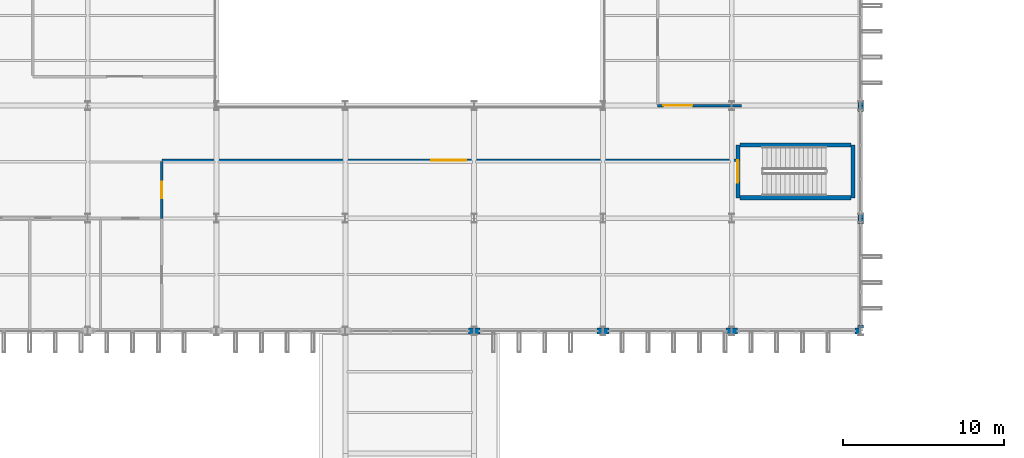
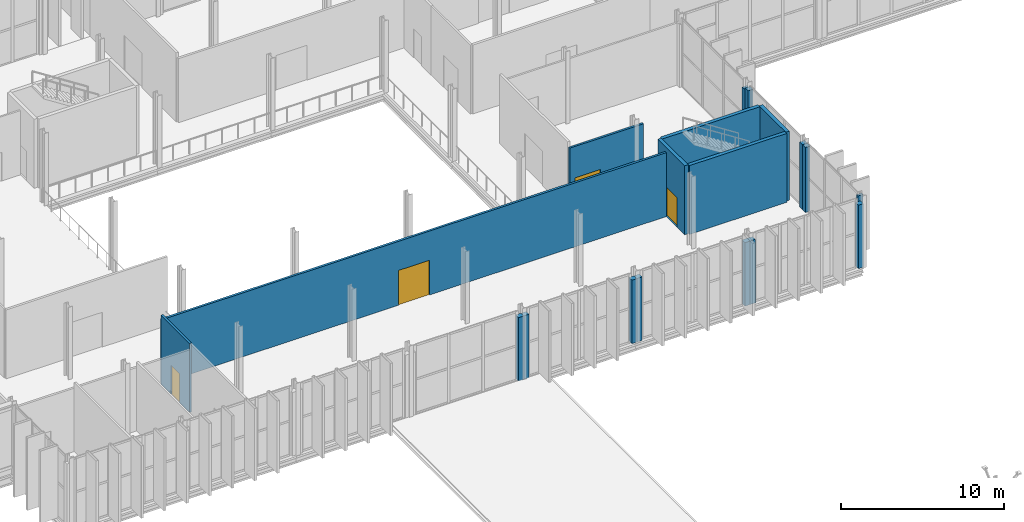
# One storey, part 119 of 147: 19 walls, 4 doors, 4 openings.
"""IFC4 building model written with IfcOpenShell, lengths in metres."""

from ifc_helpers import new_model, si_unit, direction, frame, frame_2d, origin, place, context, subcontext, project, spatial, rectangle, extrude, material, layer, layer_set, type_object, element, fill, save


model = new_model("IFC4")

# Units and contexts
model_context = context("Model", 3, precision=1e-05, world=origin(), true_north=direction((0.0, 1.0)))
body_context = subcontext(model_context, "Body", "Model", "MODEL_VIEW")
ifc_project = project(units=[si_unit("LENGTHUNIT", "METRE"), si_unit("AREAUNIT", "SQUARE_METRE"), si_unit("VOLUMEUNIT", "CUBIC_METRE"), si_unit("PLANEANGLEUNIT", "RADIAN"), si_unit("MASSUNIT", "GRAM", prefix="KILO")], contexts=[model_context])

# Site, building, storey
site_placement = place(None, origin())
site = spatial("IfcSite", under=ifc_project, at=site_placement, CompositionType="ELEMENT")
building_placement = place(site_placement, origin())
building = spatial("IfcBuilding", under=site, at=building_placement, Name="Vekula Escarpment Museum", CompositionType="ELEMENT")
storey_placement = place(building_placement, frame((0.0, 0.0, 7.800048828125)))
storey = spatial("IfcBuildingStorey", under=building, at=storey_placement, Name="L02", CompositionType="ELEMENT", Elevation=7.800048828125)

# Walls
ifc_material_1 = material(Name="Inkisi arkosic sandstone masonry", Category="masonry")
ifc_layer_1 = layer(ifc_material_1, 0.35009765625)
ifc_layer_set_1 = layer_set([ifc_layer_1], Name="Inkisi arkosic sandstone masonry")
wall_type_1 = type_object("IfcWallType", Name="WL-ALM-350", PredefinedType="SOLIDWALL", material=ifc_layer_set_1)
for number, where, z_axis, x_axis, name in (
    (1, (101.639892578125, 45.60009765625, 0.0), (0.0, 0.0, 1.0), (1.0, 0.0, 0.0), "Facade Jamb Pier L02-0339B"),
    (2, (102.0, 45.60009765625, 0.0), (0.0, 0.0, 1.0), (1.0, 0.0, 0.0), "Facade Jamb Pier L02-0340A"),
    (3, (109.639892578125, 45.60009765625, 0.0), (0.0, 0.0, 1.0), (1.0, 0.0, 0.0), "Facade Jamb Pier L02-0341B"),
    (4, (110.0, 45.60009765625, 0.0), (0.0, 0.0, 1.0), (1.0, 0.0, 0.0), "Facade Jamb Pier L02-0342A"),
    (5, (117.639892578125, 45.60009765625, 0.0), (0.0, 0.0, 1.0), (1.0, 0.0, 0.0), "Facade Jamb Pier L02-0343B"),
    (6, (118.0, 45.60009765625, 0.0), (0.0, 0.0, 1.0), (1.0, 0.0, 0.0), "Facade Jamb Pier L02-0344A"),
    (7, (125.639892578125, 45.60009765625, 0.0), (0.0, 0.0, 1.0), (1.0, 0.0, 0.0), "Facade Jamb Pier L02-0345B"),
):
    element("IfcWall", number, at=place(storey_placement, frame(where, z_axis=z_axis, x_axis=x_axis)), inside=storey, type_object=wall_type_1, Name=name, PredefinedType="SOLIDWALL", context=body_context, shape_type="SweptSolid", body=[
        extrude(rectangle(XDim=0.360107421875, YDim=0.35009765625, at=frame_2d((0.18017578125, 0.0))), origin(), (0.0, 0.0, 1.0), 4.744873046875),
    ])
wall_1_placement = place(storey_placement, frame((126.0, 45.779052734375, 0.0), z_axis=(0.0, 0.0, 1.0), x_axis=(0.0, 1.0, 0.0)))
element("IfcWall", 8, at=wall_1_placement, inside=storey, type_object=wall_type_1, Name="Facade Jamb Pier L02-0346A", PredefinedType="SOLIDWALL", context=body_context, shape_type="SweptSolid", body=[
    extrude(rectangle(XDim=0.180908203125, YDim=0.35009765625, at=frame_2d((0.09033203125, 0.0))), origin(), (0.0, 0.0, 1.0), 5.14990234375),
])
wall_2_placement = place(storey_placement, frame((126.0, 52.239990234375, 0.0), z_axis=(0.0, 0.0, 1.0), x_axis=(0.0, 1.0, 0.0)))
element("IfcWall", 9, at=wall_2_placement, inside=storey, type_object=wall_type_1, Name="Facade Jamb Pier L02-0347B", PredefinedType="SOLIDWALL", context=body_context, shape_type="SweptSolid", body=[
    extrude(rectangle(XDim=0.360107421875, YDim=0.35009765625, at=frame_2d((0.18017578125, 0.0))), origin(), (0.0, 0.0, 1.0), 4.844970703125),
])
wall_3_placement = place(storey_placement, frame((126.0, 52.60009765625, 0.0), z_axis=(0.0, 0.0, 1.0), x_axis=(0.0, 1.0, 0.0)))
element("IfcWall", 10, at=wall_3_placement, inside=storey, type_object=wall_type_1, Name="Facade Jamb Pier L02-0348A", PredefinedType="SOLIDWALL", context=body_context, shape_type="SweptSolid", body=[
    extrude(rectangle(XDim=0.35986328125, YDim=0.35009765625, at=frame_2d((0.179931640625, 0.0))), origin(), (0.0, 0.0, 1.0), 4.844970703125),
])
wall_4_placement = place(storey_placement, frame((126.0, 59.239990234375, 0.0), z_axis=(0.0, 0.0, 1.0), x_axis=(0.0, 1.0, 0.0)))
element("IfcWall", 11, at=wall_4_placement, inside=storey, type_object=wall_type_1, Name="Facade Jamb Pier L02-0349B", PredefinedType="SOLIDWALL", context=body_context, shape_type="SweptSolid", body=[
    extrude(rectangle(XDim=0.360107421875, YDim=0.35009765625, at=frame_2d((0.18017578125, 0.0))), origin(), (0.0, 0.0, 1.0), 4.844970703125),
])
wall_5_placement = place(storey_placement, frame((126.0, 59.60009765625, 0.0), z_axis=(0.0, 0.0, 1.0), x_axis=(0.0, 1.0, 0.0)))
element("IfcWall", 12, at=wall_5_placement, inside=storey, type_object=wall_type_1, Name="Facade Jamb Pier L02-0350A", PredefinedType="SOLIDWALL", context=body_context, shape_type="SweptSolid", body=[
    extrude(rectangle(XDim=0.35986328125, YDim=0.35009765625, at=frame_2d((0.179931640625, 0.0))), origin(), (0.0, 0.0, 1.0), 4.695068359375),
])

# Wall, opening, door
ifc_material_2 = material(Name="Concrete C35/45", Category="concrete")
ifc_layer_2 = layer(ifc_material_2, 0.25)
ifc_layer_set_2 = layer_set([ifc_layer_2], Name="Concrete C35/45")
wall_type_2 = type_object("IfcWallType", Name="WL-CORE-250", PredefinedType="SHEAR", material=ifc_layer_set_2)
wall_6_placement = place(storey_placement, frame((118.375, 53.875, 0.0), z_axis=(0.0, 0.0, 1.0), x_axis=(0.0, 1.0, 0.0)))
wall_6 = element("IfcWall", 13, at=wall_6_placement, inside=storey, type_object=wall_type_2, Name="Stair Core Wall ST-08 L02 W", PredefinedType="SHEAR", context=body_context, shape_type="SweptSolid", body=[
    extrude(rectangle(XDim=3.2900390625, YDim=0.25, at=frame_2d((1.64501953125, 0.0))), origin(), (0.0, 0.0, 1.0), 5.14990234375),
])
opening_1_placement = place(wall_6_placement, frame((0.945068359375, 0.0, 0.0)))
opening_1 = element("IfcOpeningElement", 14, at=opening_1_placement, cuts=wall_6, Name="Opening DR-FD60", PredefinedType="OPENING", context=body_context, shape_type="SweptSolid", body=[
    extrude(rectangle(XDim=1.39990234375, YDim=2.199951171875, at=frame_2d((0.699951171875, 1.10009765625))), frame((0.0, 0.135009765625, 0.0), z_axis=(0.0, -1.0, 0.0), x_axis=(1.0, 0.0, 0.0)), (0.0, 0.0, 1.0), 0.27001953125),
])
ifc_material_3 = material(Name="Fire-rated steel stair door", Category="steel")
door_type_1 = type_object("IfcDoorType", Name="DR-STAIR-1400x2200", OperationType="NOTDEFINED", PredefinedType="DOOR", material=ifc_material_3)
door_1_placement = place(opening_1_placement, origin())
door_1 = element("IfcDoor", 15, at=door_1_placement, inside=storey, type_object=door_type_1, Name="Protected Exit Stair Door ST-08 L02", OperationType="SINGLE_SWING_LEFT", OverallHeight=2.199951171875, OverallWidth=1.39990234375, PredefinedType="DOOR", context=body_context, shape_type="SweptSolid", body=[
    extrude(rectangle(XDim=1.39990234375, YDim=2.199951171875, at=frame_2d((0.699951171875, 1.10009765625))), frame((0.0, 0.02490234375, 0.0), z_axis=(0.0, -1.0, 0.0), x_axis=(1.0, 0.0, 0.0)), (0.0, 0.0, 1.0), 0.050048828125),
])
fill(opening_1, door_1)

# Walls
wall_7_placement = place(storey_placement, frame((125.52490234375, 53.875, 0.0), z_axis=(0.0, 0.0, 1.0), x_axis=(0.0, 1.0, 0.0)))
element("IfcWall", 16, at=wall_7_placement, inside=storey, type_object=wall_type_2, Name="Stair Core Wall ST-08 L02 E", PredefinedType="SHEAR", context=body_context, shape_type="SweptSolid", body=[
    extrude(rectangle(XDim=3.2900390625, YDim=0.25, at=frame_2d((1.64501953125, 0.0))), origin(), (0.0, 0.0, 1.0), 5.14990234375),
])
for number, where, z_axis, x_axis, name in (
    (17, (118.50390625, 53.875, 0.0), (0.0, 0.0, 1.0), (1.0, 0.0, 0.0), "Stair Core Wall ST-08 L02 S"),
    (18, (118.50390625, 57.1650390625, 0.0), (0.0, 0.0, 1.0), (1.0, 0.0, 0.0), "Stair Core Wall ST-08 L02 N"),
):
    element("IfcWall", number, at=place(storey_placement, frame(where, z_axis=z_axis, x_axis=x_axis)), inside=storey, type_object=wall_type_2, Name=name, PredefinedType="SHEAR", context=body_context, shape_type="SweptSolid", body=[
        extrude(rectangle(XDim=6.89208984375, YDim=0.25, at=frame_2d((3.446044921875, 0.0))), origin(), (0.0, 0.0, 1.0), 5.14990234375),
    ])

# Wall, opening, door
ifc_material_4 = material(Name="Gypsum board dry-lined partition", Category="gypsum")
ifc_layer_3 = layer(ifc_material_4, 0.14990234375)
ifc_layer_set_3 = layer_set([ifc_layer_3], Name="Gypsum board dry-lined partition")
wall_type_3 = type_object("IfcWallType", Name="WL-PART-150", PredefinedType="PARTITIONING", material=ifc_layer_set_3)
wall_8_placement = place(storey_placement, frame((113.39990234375, 59.60009765625, 0.0), z_axis=(0.0, 0.0, 1.0), x_axis=(1.0, 0.0, 0.0)))
wall_8 = element("IfcWall", 19, at=wall_8_placement, inside=storey, type_object=wall_type_3, Name="Interior Partition WL-INT-L02-0032", PredefinedType="PARTITIONING", context=body_context, shape_type="SweptSolid", body=[
    extrude(rectangle(XDim=5.2001953125, YDim=0.14990234375, at=frame_2d((2.60009765625, 0.0))), origin(), (0.0, 0.0, 1.0), 4.744873046875),
])
opening_2_placement = place(wall_8_placement, frame((0.35009765625, 0.0, 0.0)))
opening_2 = element("IfcOpeningElement", 20, at=opening_2_placement, cuts=wall_8, Name="Opening DR-GL18", PredefinedType="OPENING", context=body_context, shape_type="SweptSolid", body=[
    extrude(rectangle(XDim=1.800048828125, YDim=2.39990234375, at=frame_2d((0.89990234375, 1.199951171875))), frame((0.0, 0.0849609375, 0.0), z_axis=(0.0, -1.0, 0.0), x_axis=(1.0, 0.0, 0.0)), (0.0, 0.0, 1.0), 0.169921875),
])
ifc_material_5 = material(Name="Double glazed gallery portal door", Category="steel")
door_type_2 = type_object("IfcDoorType", Name="DR-GAL-1800x2400", OperationType="NOTDEFINED", PredefinedType="DOOR", material=ifc_material_5)
door_2_placement = place(opening_2_placement, origin())
door_2 = element("IfcDoor", 21, at=door_2_placement, inside=storey, type_object=door_type_2, Name="Interior Door L02-030", OperationType="SINGLE_SWING_RIGHT", OverallHeight=2.39990234375, OverallWidth=1.800048828125, PredefinedType="DOOR", context=body_context, shape_type="SweptSolid", body=[
    extrude(rectangle(XDim=1.800048828125, YDim=2.39990234375, at=frame_2d((0.89990234375, 1.199951171875))), frame((0.0, 0.02490234375, 0.0), z_axis=(0.0, -1.0, 0.0), x_axis=(1.0, 0.0, 0.0)), (0.0, 0.0, 1.0), 0.050048828125),
])
fill(opening_2, door_2)

wall_9_placement = place(storey_placement, frame((82.60009765625, 52.60009765625, 0.0), z_axis=(0.0, 0.0, 1.0), x_axis=(0.0, 1.0, 0.0)))
wall_9 = element("IfcWall", 22, at=wall_9_placement, inside=storey, type_object=wall_type_3, Name="Interior Partition WL-INT-L02-0038", PredefinedType="PARTITIONING", context=body_context, shape_type="SweptSolid", body=[
    extrude(rectangle(XDim=3.515869140625, YDim=0.14990234375, at=frame_2d((1.7578125, 0.0))), origin(), (0.0, 0.0, 1.0), 5.14990234375),
])
opening_3_placement = place(wall_9_placement, frame((1.258056640625, 0.0, 0.0)))
opening_3 = element("IfcOpeningElement", 23, at=opening_3_placement, cuts=wall_9, Name="Opening DR-OF10", PredefinedType="OPENING", context=body_context, shape_type="SweptSolid", body=[
    extrude(rectangle(XDim=1.0, YDim=2.14990234375, at=frame_2d((0.5, 1.074951171875))), frame((0.0, 0.0849609375, 0.0), z_axis=(0.0, -1.0, 0.0), x_axis=(1.0, 0.0, 0.0)), (0.0, 0.0, 1.0), 0.169921875),
])
ifc_material_6 = material(Name="Solid core timber study door", Category="wood")
door_type_3 = type_object("IfcDoorType", Name="DR-OFF-1000x2150", OperationType="NOTDEFINED", PredefinedType="DOOR", material=ifc_material_6)
door_3_placement = place(opening_3_placement, origin())
door_3 = element("IfcDoor", 24, at=door_3_placement, inside=storey, type_object=door_type_3, Name="Interior Door L02-036", OperationType="SINGLE_SWING_RIGHT", OverallHeight=2.14990234375, OverallWidth=1.0, PredefinedType="DOOR", context=body_context, shape_type="SweptSolid", body=[
    extrude(rectangle(XDim=1.0, YDim=2.14990234375, at=frame_2d((0.5, 1.074951171875))), frame((0.0, 0.02490234375, 0.0), z_axis=(0.0, -1.0, 0.0), x_axis=(1.0, 0.0, 0.0)), (0.0, 0.0, 1.0), 0.050048828125),
])
fill(opening_3, door_3)

ifc_material_7 = material(Name="Gypsum board gallery partition", Category="gypsum")
ifc_layer_4 = layer(ifc_material_7, 0.159912109375)
ifc_layer_set_4 = layer_set([ifc_layer_4], Name="Gypsum board gallery partition")
wall_type_4 = type_object("IfcWallType", Name="WL-PART-160", PredefinedType="PARTITIONING", material=ifc_layer_set_4)
wall_10_placement = place(storey_placement, frame((82.60009765625, 56.199951171875, 0.0), z_axis=(0.0, 0.0, 1.0), x_axis=(1.0, 0.0, 0.0)))
wall_10 = element("IfcWall", 25, at=wall_10_placement, inside=storey, type_object=wall_type_4, Name="Interior Partition WL-INT-L02-0031", PredefinedType="PARTITIONING", context=body_context, shape_type="SweptSolid", body=[
    extrude(rectangle(XDim=35.64599609375, YDim=0.159912109375, at=frame_2d((17.822998046875, 0.0))), origin(), (0.0, 0.0, 1.0), 4.77490234375),
])
opening_4_placement = place(wall_10_placement, frame((16.722900390625, 0.0, 0.0)))
opening_4 = element("IfcOpeningElement", 26, at=opening_4_placement, cuts=wall_10, Name="Opening DR-GL22", PredefinedType="OPENING", context=body_context, shape_type="SweptSolid", body=[
    extrude(rectangle(XDim=2.199951171875, YDim=2.60009765625, at=frame_2d((1.10009765625, 1.300048828125))), frame((0.0, 0.08984375, 0.0), z_axis=(0.0, -1.0, 0.0), x_axis=(1.0, 0.0, 0.0)), (0.0, 0.0, 1.0), 0.179931640625),
])
ifc_material_8 = material(Name="Double acoustic timber gallery door", Category="wood")
door_type_4 = type_object("IfcDoorType", Name="DR-GAL-2200x2600", OperationType="NOTDEFINED", PredefinedType="DOOR", material=ifc_material_8)
door_4_placement = place(opening_4_placement, origin())
door_4 = element("IfcDoor", 27, at=door_4_placement, inside=storey, type_object=door_type_4, Name="Interior Door L02-029", OperationType="SINGLE_SWING_LEFT", OverallHeight=2.60009765625, OverallWidth=2.199951171875, PredefinedType="DOOR", context=body_context, shape_type="SweptSolid", body=[
    extrude(rectangle(XDim=2.199951171875, YDim=2.60009765625, at=frame_2d((1.10009765625, 1.300048828125))), frame((0.0, 0.02490234375, 0.0), z_axis=(0.0, -1.0, 0.0), x_axis=(1.0, 0.0, 0.0)), (0.0, 0.0, 1.0), 0.050048828125),
])
fill(opening_4, door_4)

save(model, "model.ifc")
